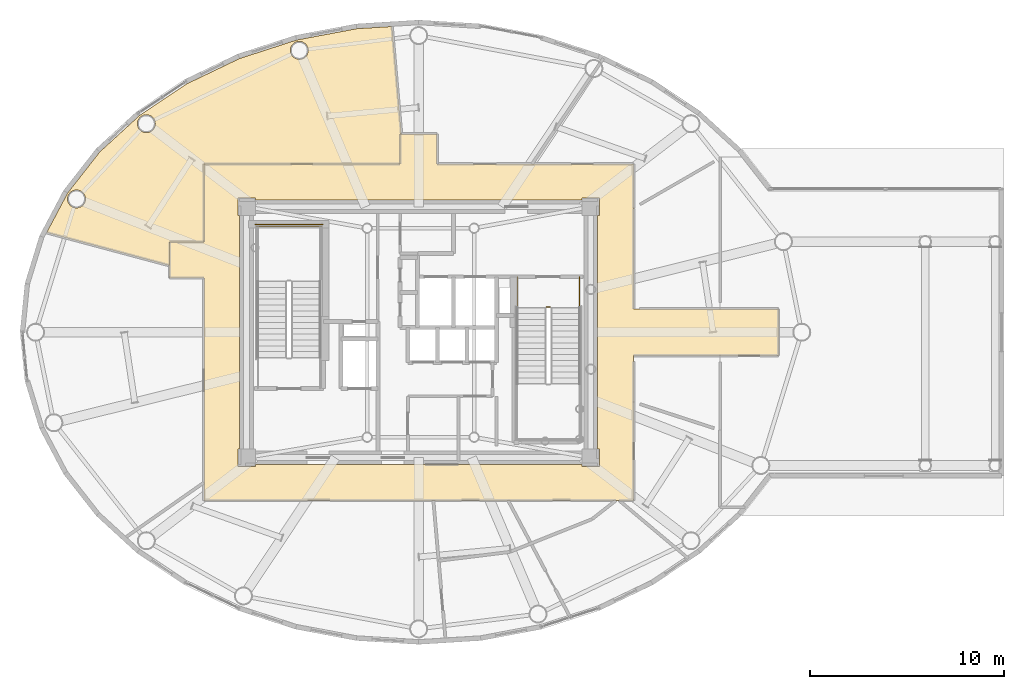
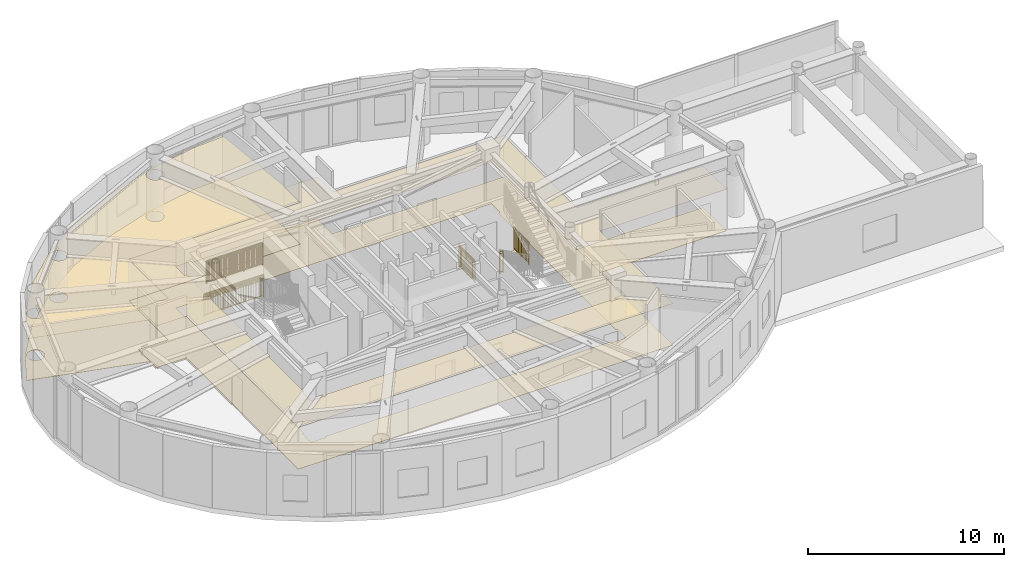
# One storey, part 25 of 26: 5 railings, 4 coverings.
"""IFC4 building model written with IfcOpenShell, lengths in metres."""

from ifc_helpers import new_model, si_unit, direction, frame, origin, origin_2d, place, context, subcontext, project, spatial, polyline, rectangle, outline, extrude, source, transform, mapped, material, layer, layer_set, type_object, element, save


model = new_model("IFC4")

# Units and contexts
model_context = context("Model", 3, precision=1e-05, world=origin(), true_north=direction((0.0, 1.0)))
body_context = subcontext(model_context, "Body", "Model", "MODEL_VIEW")
ifc_project = project(units=[si_unit("LENGTHUNIT", "METRE"), si_unit("AREAUNIT", "SQUARE_METRE"), si_unit("VOLUMEUNIT", "CUBIC_METRE"), si_unit("PLANEANGLEUNIT", "RADIAN"), si_unit("MASSUNIT", "GRAM", prefix="KILO")], contexts=[model_context])

# Site, building, storey
site_placement = place(None, origin())
site = spatial("IfcSite", under=ifc_project, at=site_placement, CompositionType="ELEMENT")
building_placement = place(site_placement, origin())
building = spatial("IfcBuilding", under=site, at=building_placement, Name="Linh Dai School and Residence Tower", CompositionType="ELEMENT")
storey_placement = place(building_placement, frame((0.0, 0.0, 346.800048828125)))
storey = spatial("IfcBuildingStorey", under=building, at=storey_placement, Name="L86", CompositionType="ELEMENT", Elevation=346.800048828125)

# Coverings
ifc_material_1 = material(Name="Mineral Fibre Acoustic Suspended Ceiling", Category="masonry")
ifc_layer_1 = layer(ifc_material_1, 0.02001953125)
ifc_layer_set_1 = layer_set([ifc_layer_1], Name="Mineral Fibre Acoustic Suspended Ceiling")
covering_type_1 = type_object("IfcCoveringType", Name="COV-CEIL-AC-20", PredefinedType="CEILING", material=ifc_layer_set_1)
covering_1_placement = place(storey_placement, frame((0.0, 0.0, 2.599853515625)))
element("IfcCovering", 1, at=covering_1_placement, inside=storey, type_object=covering_type_1, Name="L86 Sky Lounge Gallery Foyer Suspended Ceiling", PredefinedType="CEILING", context=body_context, shape_type="SweptSolid", body=[
    extrude(outline(polyline([(24.949951171875, 31.64990234375), (24.949951171875, 35.64990234375), (35.050048828125, 35.64990234375), (35.050048828125, 37.199951171875), (36.949951171875, 37.199951171875), (36.949951171875, 35.64990234375), (47.050048828125, 35.64990234375), (47.050048828125, 28.199951171875), (54.5, 28.199951171875), (54.5, 25.800048828125), (47.050048828125, 25.800048828125), (47.050048828125, 18.35009765625), (24.949951171875, 18.35009765625), (24.949951171875, 29.800048828125), (23.199951171875, 29.800048828125), (23.199951171875, 31.64990234375), (24.949951171875, 31.64990234375)]), holes=[polyline([(27.60009765625, 33.800048828125), (27.60009765625, 33.89990234375), (26.699951171875, 33.89990234375), (26.699951171875, 33.0), (26.800048828125, 33.0), (26.800048828125, 21.0), (26.699951171875, 21.0), (26.699951171875, 20.10009765625), (27.60009765625, 20.10009765625), (27.60009765625, 20.199951171875), (44.39990234375, 20.199951171875), (44.39990234375, 20.10009765625), (45.300048828125, 20.10009765625), (45.300048828125, 21.0), (45.199951171875, 21.0), (45.199951171875, 33.0), (45.300048828125, 33.0), (45.300048828125, 33.89990234375), (44.39990234375, 33.89990234375), (44.39990234375, 33.800048828125), (27.60009765625, 33.800048828125)])]), origin(), (0.0, 0.0, 1.0), 0.02001953125),
])
covering_2_placement = place(storey_placement, frame((0.0, 0.0, 2.599853515625)))
element("IfcCovering", 2, at=covering_2_placement, inside=storey, type_object=covering_type_1, Name="L86 North Panorama Private Dining Salon Suspended Ceiling", PredefinedType="CEILING", context=body_context, shape_type="SweptSolid", body=[
    extrude(outline(polyline([(19.598388671875, 36.266845703125), (21.658447265625, 38.15576171875), (24.073974609375, 39.771484375), (26.785888671875, 41.072998046875), (29.726806640625, 42.02685546875), (32.823974609375, 42.609130859375), (34.624755859375, 42.72021484375), (35.107666015625, 37.199951171875), (35.050048828125, 37.199951171875), (35.050048828125, 35.64990234375), (24.949951171875, 35.64990234375), (24.949951171875, 31.64990234375), (23.199951171875, 31.64990234375), (23.199951171875, 30.4296875), (16.87158203125, 32.12548828125), (17.94384765625, 34.152587890625), (19.598388671875, 36.266845703125)]), holes=[polyline([(30.262451171875, 41.262939453125), (30.30859375, 41.374267578125), (30.324462890625, 41.493896484375), (30.30859375, 41.613525390625), (30.262451171875, 41.724853515625), (30.189208984375, 41.820556640625), (30.093505859375, 41.89404296875), (29.98193359375, 41.940185546875), (29.8623046875, 41.955810546875), (29.742919921875, 41.940185546875), (29.63134765625, 41.89404296875), (29.535888671875, 41.820556640625), (29.46240234375, 41.724853515625), (29.416259765625, 41.613525390625), (29.400390625, 41.493896484375), (29.416259765625, 41.374267578125), (29.46240234375, 41.262939453125), (29.535888671875, 41.167236328125), (29.63134765625, 41.09375), (29.742919921875, 41.047607421875), (29.8623046875, 41.031982421875), (29.98193359375, 41.047607421875), (30.093505859375, 41.09375), (30.189208984375, 41.167236328125), (30.262451171875, 41.262939453125)]), polyline([(22.397705078125, 37.49169921875), (22.44384765625, 37.603271484375), (22.459716796875, 37.722900390625), (22.44384765625, 37.84228515625), (22.397705078125, 37.953857421875), (22.32421875, 38.049560546875), (22.228515625, 38.122802734375), (22.1171875, 38.1689453125), (21.99755859375, 38.184814453125), (21.8779296875, 38.1689453125), (21.7666015625, 38.122802734375), (21.6708984375, 38.049560546875), (21.597412109375, 37.953857421875), (21.55126953125, 37.84228515625), (21.53564453125, 37.722900390625), (21.55126953125, 37.603271484375), (21.597412109375, 37.49169921875), (21.6708984375, 37.39599609375), (21.7666015625, 37.32275390625), (21.8779296875, 37.276611328125), (21.99755859375, 37.2607421875), (22.1171875, 37.276611328125), (22.228515625, 37.32275390625), (22.32421875, 37.39599609375), (22.397705078125, 37.49169921875)]), polyline([(18.851318359375, 33.73291015625), (18.866943359375, 33.8525390625), (18.851318359375, 33.97216796875), (18.804931640625, 34.08349609375), (18.731689453125, 34.17919921875), (18.635986328125, 34.252685546875), (18.5244140625, 34.298828125), (18.40478515625, 34.314453125), (18.285400390625, 34.298828125), (18.173828125, 34.252685546875), (18.078369140625, 34.17919921875), (18.0048828125, 34.08349609375), (17.958740234375, 33.97216796875), (17.94287109375, 33.8525390625), (17.958740234375, 33.73291015625), (18.0048828125, 33.62158203125), (18.078369140625, 33.52587890625), (18.173828125, 33.452392578125), (18.285400390625, 33.40625), (18.40478515625, 33.390380859375), (18.5244140625, 33.40625), (18.635986328125, 33.452392578125), (18.731689453125, 33.52587890625), (18.804931640625, 33.62158203125), (18.851318359375, 33.73291015625)])]), origin(), (0.0, 0.0, 1.0), 0.02001953125),
])
ifc_material_2 = material(Name="Polished Terrazzo Floor Finish", Category="masonry")
ifc_layer_2 = layer(ifc_material_2, 0.02490234375)
ifc_layer_set_2 = layer_set([ifc_layer_2], Name="Polished Terrazzo Floor Finish")
covering_type_2 = type_object("IfcCoveringType", Name="COV-FLR-TRZ-25", PredefinedType="FLOORING", material=ifc_layer_set_2)
covering_3_placement = place(storey_placement, origin())
element("IfcCovering", 3, at=covering_3_placement, inside=storey, type_object=covering_type_2, Name="L86 Sky Lounge Gallery Foyer Floor Finish", PredefinedType="FLOORING", context=body_context, shape_type="SweptSolid", body=[
    extrude(outline(polyline([(24.949951171875, 31.64990234375), (24.949951171875, 35.64990234375), (35.050048828125, 35.64990234375), (35.050048828125, 37.199951171875), (36.949951171875, 37.199951171875), (36.949951171875, 35.64990234375), (47.050048828125, 35.64990234375), (47.050048828125, 28.199951171875), (54.5, 28.199951171875), (54.5, 25.800048828125), (47.050048828125, 25.800048828125), (47.050048828125, 18.35009765625), (24.949951171875, 18.35009765625), (24.949951171875, 29.800048828125), (23.199951171875, 29.800048828125), (23.199951171875, 31.64990234375), (24.949951171875, 31.64990234375)]), holes=[polyline([(27.60009765625, 33.800048828125), (27.60009765625, 33.89990234375), (26.699951171875, 33.89990234375), (26.699951171875, 33.0), (26.800048828125, 33.0), (26.800048828125, 21.0), (26.699951171875, 21.0), (26.699951171875, 20.10009765625), (27.60009765625, 20.10009765625), (27.60009765625, 20.199951171875), (44.39990234375, 20.199951171875), (44.39990234375, 20.10009765625), (45.300048828125, 20.10009765625), (45.300048828125, 21.0), (45.199951171875, 21.0), (45.199951171875, 33.0), (45.300048828125, 33.0), (45.300048828125, 33.89990234375), (44.39990234375, 33.89990234375), (44.39990234375, 33.800048828125), (27.60009765625, 33.800048828125)])]), origin(), (0.0, 0.0, 1.0), 0.02001953125),
])
covering_4_placement = place(storey_placement, origin())
element("IfcCovering", 4, at=covering_4_placement, inside=storey, type_object=covering_type_2, Name="L86 North Panorama Private Dining Salon Floor Finish", PredefinedType="FLOORING", context=body_context, shape_type="SweptSolid", body=[
    extrude(outline(polyline([(19.598388671875, 36.266845703125), (21.658447265625, 38.15576171875), (24.073974609375, 39.771484375), (26.785888671875, 41.072998046875), (29.726806640625, 42.02685546875), (32.823974609375, 42.609130859375), (34.624755859375, 42.72021484375), (35.107666015625, 37.199951171875), (35.050048828125, 37.199951171875), (35.050048828125, 35.64990234375), (24.949951171875, 35.64990234375), (24.949951171875, 31.64990234375), (23.199951171875, 31.64990234375), (23.199951171875, 30.4296875), (16.87158203125, 32.12548828125), (17.94384765625, 34.152587890625), (19.598388671875, 36.266845703125)]), holes=[polyline([(30.262451171875, 41.262939453125), (30.30859375, 41.374267578125), (30.324462890625, 41.493896484375), (30.30859375, 41.613525390625), (30.262451171875, 41.724853515625), (30.189208984375, 41.820556640625), (30.093505859375, 41.89404296875), (29.98193359375, 41.940185546875), (29.8623046875, 41.955810546875), (29.742919921875, 41.940185546875), (29.63134765625, 41.89404296875), (29.535888671875, 41.820556640625), (29.46240234375, 41.724853515625), (29.416259765625, 41.613525390625), (29.400390625, 41.493896484375), (29.416259765625, 41.374267578125), (29.46240234375, 41.262939453125), (29.535888671875, 41.167236328125), (29.63134765625, 41.09375), (29.742919921875, 41.047607421875), (29.8623046875, 41.031982421875), (29.98193359375, 41.047607421875), (30.093505859375, 41.09375), (30.189208984375, 41.167236328125), (30.262451171875, 41.262939453125)]), polyline([(22.397705078125, 37.49169921875), (22.44384765625, 37.603271484375), (22.459716796875, 37.722900390625), (22.44384765625, 37.84228515625), (22.397705078125, 37.953857421875), (22.32421875, 38.049560546875), (22.228515625, 38.122802734375), (22.1171875, 38.1689453125), (21.99755859375, 38.184814453125), (21.8779296875, 38.1689453125), (21.7666015625, 38.122802734375), (21.6708984375, 38.049560546875), (21.597412109375, 37.953857421875), (21.55126953125, 37.84228515625), (21.53564453125, 37.722900390625), (21.55126953125, 37.603271484375), (21.597412109375, 37.49169921875), (21.6708984375, 37.39599609375), (21.7666015625, 37.32275390625), (21.8779296875, 37.276611328125), (21.99755859375, 37.2607421875), (22.1171875, 37.276611328125), (22.228515625, 37.32275390625), (22.32421875, 37.39599609375), (22.397705078125, 37.49169921875)]), polyline([(18.851318359375, 33.73291015625), (18.866943359375, 33.8525390625), (18.851318359375, 33.97216796875), (18.804931640625, 34.08349609375), (18.731689453125, 34.17919921875), (18.635986328125, 34.252685546875), (18.5244140625, 34.298828125), (18.40478515625, 34.314453125), (18.285400390625, 34.298828125), (18.173828125, 34.252685546875), (18.078369140625, 34.17919921875), (18.0048828125, 34.08349609375), (17.958740234375, 33.97216796875), (17.94287109375, 33.8525390625), (17.958740234375, 33.73291015625), (18.0048828125, 33.62158203125), (18.078369140625, 33.52587890625), (18.173828125, 33.452392578125), (18.285400390625, 33.40625), (18.40478515625, 33.390380859375), (18.5244140625, 33.40625), (18.635986328125, 33.452392578125), (18.731689453125, 33.52587890625), (18.804931640625, 33.62158203125), (18.851318359375, 33.73291015625)])]), origin(), (0.0, 0.0, 1.0), 0.02001953125),
])

# Railings
ifc_material_3 = material(Name="Structural Steel S355JR", Category="steel")
railing_type = type_object("IfcRailingType", Name="RL-ST-GUARD-1400", PredefinedType="GUARDRAIL", material=ifc_material_3)
shared_shape_1 = source(origin(), body_context, "Body", "SweptSolid", [
    extrude(rectangle(XDim=0.048095703125, YDim=0.048095703125, at=origin_2d()), frame((0.0, 0.0, 1.3759765625), z_axis=(-1.0, 0.0, 0.0), x_axis=(0.0, -1.0, 0.0)), (0.0, 0.0, 1.0), 3.300048828125),
    extrude(rectangle(XDim=0.048095703125, YDim=0.048095703125, at=origin_2d()), frame((0.0, 0.0, 0.10009765625), z_axis=(-1.0, 0.0, 0.0), x_axis=(0.0, -1.0, 0.0)), (0.0, 0.0, 1.0), 3.300048828125),
    extrude(rectangle(XDim=0.030029296875, YDim=0.030029296875, at=origin_2d()), frame((0.0, 0.0, 1.239990234375), z_axis=(-1.0, 0.0, 0.0), x_axis=(0.0, -1.0, 0.0)), (0.0, 0.0, 1.0), 3.300048828125),
    extrude(rectangle(XDim=0.02001953125, YDim=0.02001953125, at=origin_2d()), frame((-0.09716796875, 0.0, 0.10009765625)), (0.0, 0.0, 1.0), 1.251708984375),
    extrude(rectangle(XDim=0.02001953125, YDim=0.02001953125, at=origin_2d()), frame((-0.194091796875, 0.0, 0.10009765625)), (0.0, 0.0, 1.0), 1.251708984375),
    extrude(rectangle(XDim=0.02001953125, YDim=0.02001953125, at=origin_2d()), frame((-0.291259765625, 0.0, 0.10009765625)), (0.0, 0.0, 1.0), 1.251708984375),
    extrude(rectangle(XDim=0.02001953125, YDim=0.02001953125, at=origin_2d()), frame((-0.38818359375, 0.0, 0.10009765625)), (0.0, 0.0, 1.0), 1.251708984375),
    extrude(rectangle(XDim=0.02001953125, YDim=0.02001953125, at=origin_2d()), frame((-0.4853515625, 0.0, 0.10009765625)), (0.0, 0.0, 1.0), 1.251708984375),
    extrude(rectangle(XDim=0.02001953125, YDim=0.02001953125, at=origin_2d()), frame((-0.582275390625, 0.0, 0.10009765625)), (0.0, 0.0, 1.0), 1.251708984375),
    extrude(rectangle(XDim=0.02001953125, YDim=0.02001953125, at=origin_2d()), frame((-0.679443359375, 0.0, 0.10009765625)), (0.0, 0.0, 1.0), 1.251708984375),
    extrude(rectangle(XDim=0.02001953125, YDim=0.02001953125, at=origin_2d()), frame((-0.7763671875, 0.0, 0.10009765625)), (0.0, 0.0, 1.0), 1.251708984375),
    extrude(rectangle(XDim=0.02001953125, YDim=0.02001953125, at=origin_2d()), frame((-0.87353515625, 0.0, 0.10009765625)), (0.0, 0.0, 1.0), 1.251708984375),
    extrude(rectangle(XDim=0.02001953125, YDim=0.02001953125, at=origin_2d()), frame((-0.970703125, 0.0, 0.10009765625)), (0.0, 0.0, 1.0), 1.251708984375),
    extrude(rectangle(XDim=0.02001953125, YDim=0.02001953125, at=origin_2d()), frame((-1.164794921875, 0.0, 0.10009765625)), (0.0, 0.0, 1.0), 1.251708984375),
    extrude(rectangle(XDim=0.02001953125, YDim=0.02001953125, at=origin_2d()), frame((-1.26171875, 0.0, 0.10009765625)), (0.0, 0.0, 1.0), 1.251708984375),
    extrude(rectangle(XDim=0.02001953125, YDim=0.02001953125, at=origin_2d()), frame((-1.35888671875, 0.0, 0.10009765625)), (0.0, 0.0, 1.0), 1.251708984375),
    extrude(rectangle(XDim=0.02001953125, YDim=0.02001953125, at=origin_2d()), frame((-1.455810546875, 0.0, 0.10009765625)), (0.0, 0.0, 1.0), 1.251708984375),
    extrude(rectangle(XDim=0.02001953125, YDim=0.02001953125, at=origin_2d()), frame((-1.552978515625, 0.0, 0.10009765625)), (0.0, 0.0, 1.0), 1.251708984375),
    extrude(rectangle(XDim=0.02001953125, YDim=0.02001953125, at=origin_2d()), frame((-1.64990234375, 0.0, 0.10009765625)), (0.0, 0.0, 1.0), 1.251708984375),
    extrude(rectangle(XDim=0.02001953125, YDim=0.02001953125, at=origin_2d()), frame((-1.7470703125, 0.0, 0.10009765625)), (0.0, 0.0, 1.0), 1.251708984375),
    extrude(rectangle(XDim=0.02001953125, YDim=0.02001953125, at=origin_2d()), frame((-1.84423828125, 0.0, 0.10009765625)), (0.0, 0.0, 1.0), 1.251708984375),
    extrude(rectangle(XDim=0.02001953125, YDim=0.02001953125, at=origin_2d()), frame((-1.941162109375, 0.0, 0.10009765625)), (0.0, 0.0, 1.0), 1.251708984375),
    extrude(rectangle(XDim=0.02001953125, YDim=0.02001953125, at=origin_2d()), frame((-2.038330078125, 0.0, 0.10009765625)), (0.0, 0.0, 1.0), 1.251708984375),
    extrude(rectangle(XDim=0.02001953125, YDim=0.02001953125, at=origin_2d()), frame((-2.13525390625, 0.0, 0.10009765625)), (0.0, 0.0, 1.0), 1.251708984375),
    extrude(rectangle(XDim=0.02001953125, YDim=0.02001953125, at=origin_2d()), frame((-2.329345703125, 0.0, 0.10009765625)), (0.0, 0.0, 1.0), 1.251708984375),
    extrude(rectangle(XDim=0.02001953125, YDim=0.02001953125, at=origin_2d()), frame((-2.426513671875, 0.0, 0.10009765625)), (0.0, 0.0, 1.0), 1.251708984375),
    extrude(rectangle(XDim=0.02001953125, YDim=0.02001953125, at=origin_2d()), frame((-2.523681640625, 0.0, 0.10009765625)), (0.0, 0.0, 1.0), 1.251708984375),
    extrude(rectangle(XDim=0.02001953125, YDim=0.02001953125, at=origin_2d()), frame((-2.62060546875, 0.0, 0.10009765625)), (0.0, 0.0, 1.0), 1.251708984375),
    extrude(rectangle(XDim=0.02001953125, YDim=0.02001953125, at=origin_2d()), frame((-2.7177734375, 0.0, 0.10009765625)), (0.0, 0.0, 1.0), 1.251708984375),
    extrude(rectangle(XDim=0.02001953125, YDim=0.02001953125, at=origin_2d()), frame((-2.814697265625, 0.0, 0.10009765625)), (0.0, 0.0, 1.0), 1.251708984375),
    extrude(rectangle(XDim=0.02001953125, YDim=0.02001953125, at=origin_2d()), frame((-2.911865234375, 0.0, 0.10009765625)), (0.0, 0.0, 1.0), 1.251708984375),
    extrude(rectangle(XDim=0.02001953125, YDim=0.02001953125, at=origin_2d()), frame((-3.0087890625, 0.0, 0.10009765625)), (0.0, 0.0, 1.0), 1.251708984375),
    extrude(rectangle(XDim=0.02001953125, YDim=0.02001953125, at=origin_2d()), frame((-3.10595703125, 0.0, 0.10009765625)), (0.0, 0.0, 1.0), 1.251708984375),
    extrude(rectangle(XDim=0.02001953125, YDim=0.02001953125, at=origin_2d()), frame((-3.202880859375, 0.0, 0.10009765625)), (0.0, 0.0, 1.0), 1.251708984375),
    extrude(rectangle(XDim=0.0419921875, YDim=0.0419921875, at=origin_2d()), origin(), (0.0, 0.0, 1.0), 1.3759765625),
    extrude(rectangle(XDim=0.0419921875, YDim=0.0419921875, at=origin_2d()), frame((-1.10009765625, 0.0, 0.0)), (0.0, 0.0, 1.0), 1.3759765625),
    extrude(rectangle(XDim=0.0419921875, YDim=0.0419921875, at=origin_2d()), frame((-2.199951171875, 0.0, 0.0)), (0.0, 0.0, 1.0), 1.3759765625),
    extrude(rectangle(XDim=0.0419921875, YDim=0.0419921875, at=origin_2d()), frame((-3.300048828125, 0.0, 0.0)), (0.0, 0.0, 1.0), 1.3759765625),
])
railing_1_placement = place(storey_placement, frame((30.97998046875, 32.449951171875, 2.099853515625)))
element("IfcRailing", 5, at=railing_1_placement, inside=storey, type_object=railing_type, Name="L86 ST1 stair guard 5", PredefinedType="GUARDRAIL", context=body_context, shape_type="MappedRepresentation", body=[
    mapped(shared_shape_1, transform((0.0, 0.0, 0.0), x_axis=(1.0, 0.0, 0.0), y_axis=(0.0, 1.0, 0.0), z_axis=(0.0, 0.0, 1.0), scale=1.0)),
])
shared_shape_2 = source(origin(), body_context, "Body", "SweptSolid", [
    extrude(rectangle(XDim=0.048095703125, YDim=0.048095703125, at=origin_2d()), frame((0.0, 0.0, 1.3759765625), z_axis=(-1.0, 0.0, 0.0), x_axis=(0.0, -1.0, 0.0)), (0.0, 0.0, 1.0), 3.5),
    extrude(rectangle(XDim=0.048095703125, YDim=0.048095703125, at=origin_2d()), frame((0.0, 0.0, 0.10009765625), z_axis=(-1.0, 0.0, 0.0), x_axis=(0.0, -1.0, 0.0)), (0.0, 0.0, 1.0), 3.5),
    extrude(rectangle(XDim=0.030029296875, YDim=0.030029296875, at=origin_2d()), frame((0.0, 0.0, 1.239990234375), z_axis=(-1.0, 0.0, 0.0), x_axis=(0.0, -1.0, 0.0)), (0.0, 0.0, 1.0), 3.5),
    extrude(rectangle(XDim=0.02001953125, YDim=0.02001953125, at=origin_2d()), frame((-0.09716796875, 0.0, 0.10009765625)), (0.0, 0.0, 1.0), 1.251708984375),
    extrude(rectangle(XDim=0.02001953125, YDim=0.02001953125, at=origin_2d()), frame((-0.1943359375, 0.0, 0.10009765625)), (0.0, 0.0, 1.0), 1.251708984375),
    extrude(rectangle(XDim=0.02001953125, YDim=0.02001953125, at=origin_2d()), frame((-0.291748046875, 0.0, 0.10009765625)), (0.0, 0.0, 1.0), 1.251708984375),
    extrude(rectangle(XDim=0.02001953125, YDim=0.02001953125, at=origin_2d()), frame((-0.388916015625, 0.0, 0.10009765625)), (0.0, 0.0, 1.0), 1.251708984375),
    extrude(rectangle(XDim=0.02001953125, YDim=0.02001953125, at=origin_2d()), frame((-0.486083984375, 0.0, 0.10009765625)), (0.0, 0.0, 1.0), 1.251708984375),
    extrude(rectangle(XDim=0.02001953125, YDim=0.02001953125, at=origin_2d()), frame((-0.583251953125, 0.0, 0.10009765625)), (0.0, 0.0, 1.0), 1.251708984375),
    extrude(rectangle(XDim=0.02001953125, YDim=0.02001953125, at=origin_2d()), frame((-0.6806640625, 0.0, 0.10009765625)), (0.0, 0.0, 1.0), 1.251708984375),
    extrude(rectangle(XDim=0.02001953125, YDim=0.02001953125, at=origin_2d()), frame((-0.77783203125, 0.0, 0.10009765625)), (0.0, 0.0, 1.0), 1.251708984375),
    extrude(rectangle(XDim=0.02001953125, YDim=0.02001953125, at=origin_2d()), frame((-0.875, 0.0, 0.10009765625)), (0.0, 0.0, 1.0), 1.251708984375),
    extrude(rectangle(XDim=0.02001953125, YDim=0.02001953125, at=origin_2d()), frame((-0.97216796875, 0.0, 0.10009765625)), (0.0, 0.0, 1.0), 1.251708984375),
    extrude(rectangle(XDim=0.02001953125, YDim=0.02001953125, at=origin_2d()), frame((-1.0693359375, 0.0, 0.10009765625)), (0.0, 0.0, 1.0), 1.251708984375),
    extrude(rectangle(XDim=0.02001953125, YDim=0.02001953125, at=origin_2d()), frame((-1.263916015625, 0.0, 0.10009765625)), (0.0, 0.0, 1.0), 1.251708984375),
    extrude(rectangle(XDim=0.02001953125, YDim=0.02001953125, at=origin_2d()), frame((-1.361083984375, 0.0, 0.10009765625)), (0.0, 0.0, 1.0), 1.251708984375),
    extrude(rectangle(XDim=0.02001953125, YDim=0.02001953125, at=origin_2d()), frame((-1.458251953125, 0.0, 0.10009765625)), (0.0, 0.0, 1.0), 1.251708984375),
    extrude(rectangle(XDim=0.02001953125, YDim=0.02001953125, at=origin_2d()), frame((-1.5556640625, 0.0, 0.10009765625)), (0.0, 0.0, 1.0), 1.251708984375),
    extrude(rectangle(XDim=0.02001953125, YDim=0.02001953125, at=origin_2d()), frame((-1.65283203125, 0.0, 0.10009765625)), (0.0, 0.0, 1.0), 1.251708984375),
    extrude(rectangle(XDim=0.02001953125, YDim=0.02001953125, at=origin_2d()), frame((-1.75, 0.0, 0.10009765625)), (0.0, 0.0, 1.0), 1.251708984375),
    extrude(rectangle(XDim=0.02001953125, YDim=0.02001953125, at=origin_2d()), frame((-1.84716796875, 0.0, 0.10009765625)), (0.0, 0.0, 1.0), 1.251708984375),
    extrude(rectangle(XDim=0.02001953125, YDim=0.02001953125, at=origin_2d()), frame((-1.9443359375, 0.0, 0.10009765625)), (0.0, 0.0, 1.0), 1.251708984375),
    extrude(rectangle(XDim=0.02001953125, YDim=0.02001953125, at=origin_2d()), frame((-2.041748046875, 0.0, 0.10009765625)), (0.0, 0.0, 1.0), 1.251708984375),
    extrude(rectangle(XDim=0.02001953125, YDim=0.02001953125, at=origin_2d()), frame((-2.138916015625, 0.0, 0.10009765625)), (0.0, 0.0, 1.0), 1.251708984375),
    extrude(rectangle(XDim=0.02001953125, YDim=0.02001953125, at=origin_2d()), frame((-2.236083984375, 0.0, 0.10009765625)), (0.0, 0.0, 1.0), 1.251708984375),
    extrude(rectangle(XDim=0.02001953125, YDim=0.02001953125, at=origin_2d()), frame((-2.4306640625, 0.0, 0.10009765625)), (0.0, 0.0, 1.0), 1.251708984375),
    extrude(rectangle(XDim=0.02001953125, YDim=0.02001953125, at=origin_2d()), frame((-2.52783203125, 0.0, 0.10009765625)), (0.0, 0.0, 1.0), 1.251708984375),
    extrude(rectangle(XDim=0.02001953125, YDim=0.02001953125, at=origin_2d()), frame((-2.625, 0.0, 0.10009765625)), (0.0, 0.0, 1.0), 1.251708984375),
    extrude(rectangle(XDim=0.02001953125, YDim=0.02001953125, at=origin_2d()), frame((-2.72216796875, 0.0, 0.10009765625)), (0.0, 0.0, 1.0), 1.251708984375),
    extrude(rectangle(XDim=0.02001953125, YDim=0.02001953125, at=origin_2d()), frame((-2.8193359375, 0.0, 0.10009765625)), (0.0, 0.0, 1.0), 1.251708984375),
    extrude(rectangle(XDim=0.02001953125, YDim=0.02001953125, at=origin_2d()), frame((-2.916748046875, 0.0, 0.10009765625)), (0.0, 0.0, 1.0), 1.251708984375),
    extrude(rectangle(XDim=0.02001953125, YDim=0.02001953125, at=origin_2d()), frame((-3.013916015625, 0.0, 0.10009765625)), (0.0, 0.0, 1.0), 1.251708984375),
    extrude(rectangle(XDim=0.02001953125, YDim=0.02001953125, at=origin_2d()), frame((-3.111083984375, 0.0, 0.10009765625)), (0.0, 0.0, 1.0), 1.251708984375),
    extrude(rectangle(XDim=0.02001953125, YDim=0.02001953125, at=origin_2d()), frame((-3.208251953125, 0.0, 0.10009765625)), (0.0, 0.0, 1.0), 1.251708984375),
    extrude(rectangle(XDim=0.02001953125, YDim=0.02001953125, at=origin_2d()), frame((-3.3056640625, 0.0, 0.10009765625)), (0.0, 0.0, 1.0), 1.251708984375),
    extrude(rectangle(XDim=0.02001953125, YDim=0.02001953125, at=origin_2d()), frame((-3.40283203125, 0.0, 0.10009765625)), (0.0, 0.0, 1.0), 1.251708984375),
    extrude(rectangle(XDim=0.0419921875, YDim=0.0419921875, at=origin_2d()), origin(), (0.0, 0.0, 1.0), 1.3759765625),
    extrude(rectangle(XDim=0.0419921875, YDim=0.0419921875, at=origin_2d()), frame((-1.166748046875, 0.0, 0.0)), (0.0, 0.0, 1.0), 1.3759765625),
    extrude(rectangle(XDim=0.0419921875, YDim=0.0419921875, at=origin_2d()), frame((-2.333251953125, 0.0, 0.0)), (0.0, 0.0, 1.0), 1.3759765625),
    extrude(rectangle(XDim=0.0419921875, YDim=0.0419921875, at=origin_2d()), frame((-3.5, 0.0, 0.0)), (0.0, 0.0, 1.0), 1.3759765625),
])
railing_2_placement = place(storey_placement, frame((31.080078125, 32.550048828125, 0.0)))
element("IfcRailing", 6, at=railing_2_placement, inside=storey, type_object=railing_type, Name="L86 ST1 stair guard 12", PredefinedType="GUARDRAIL", context=body_context, shape_type="MappedRepresentation", body=[
    mapped(shared_shape_2, transform((0.0, 0.0, 0.0), x_axis=(1.0, 0.0, 0.0), y_axis=(0.0, 1.0, 0.0), z_axis=(0.0, 0.0, 1.0), scale=1.0)),
])
shared_shape_3 = source(origin(), body_context, "Body", "SweptSolid", [
    extrude(rectangle(XDim=0.048095703125, YDim=0.048095703125, at=origin_2d()), frame((0.0, 0.0, 1.3759765625), z_axis=(1.0, 0.0, 0.0), x_axis=(0.0, 1.0, 0.0)), (0.0, 0.0, 1.0), 0.199951171875),
    extrude(rectangle(XDim=0.048095703125, YDim=0.048095703125, at=origin_2d()), frame((0.0, 0.0, 0.10009765625), z_axis=(1.0, 0.0, 0.0), x_axis=(0.0, 1.0, 0.0)), (0.0, 0.0, 1.0), 0.199951171875),
    extrude(rectangle(XDim=0.030029296875, YDim=0.030029296875, at=origin_2d()), frame((0.0, 0.0, 1.239990234375), z_axis=(1.0, 0.0, 0.0), x_axis=(0.0, 1.0, 0.0)), (0.0, 0.0, 1.0), 0.199951171875),
    extrude(rectangle(XDim=0.0419921875, YDim=0.0419921875, at=origin_2d()), origin(), (0.0, 0.0, 1.0), 1.3759765625),
    extrude(rectangle(XDim=0.0419921875, YDim=0.0419921875, at=origin_2d()), frame((0.199951171875, 0.0, 0.0)), (0.0, 0.0, 1.0), 1.3759765625),
])
railing_3_placement = place(storey_placement, frame((42.570068359375, 28.300048828125, 0.0)))
element("IfcRailing", 7, at=railing_3_placement, inside=storey, type_object=railing_type, Name="L86 ST2 stair guard 7", PredefinedType="GUARDRAIL", context=body_context, shape_type="MappedRepresentation", body=[
    mapped(shared_shape_3, transform((0.0, 0.0, 0.0), x_axis=(1.0, 0.0, 0.0), y_axis=(0.0, 1.0, 0.0), z_axis=(0.0, 0.0, 1.0), scale=1.0)),
])
shared_shape_4 = source(origin(), body_context, "Body", "SweptSolid", [
    extrude(rectangle(XDim=0.048095703125, YDim=0.048095703125, at=origin_2d()), frame((0.0, 0.0, 1.3759765625), z_axis=(0.0, -1.0, 0.0), x_axis=(1.0, 0.0, 0.0)), (0.0, 0.0, 1.0), 1.60009765625),
    extrude(rectangle(XDim=0.048095703125, YDim=0.048095703125, at=origin_2d()), frame((0.0, 0.0, 0.10009765625), z_axis=(0.0, -1.0, 0.0), x_axis=(1.0, 0.0, 0.0)), (0.0, 0.0, 1.0), 1.60009765625),
    extrude(rectangle(XDim=0.030029296875, YDim=0.030029296875, at=origin_2d()), frame((0.0, 0.0, 1.239990234375), z_axis=(0.0, -1.0, 0.0), x_axis=(1.0, 0.0, 0.0)), (0.0, 0.0, 1.0), 1.60009765625),
    extrude(rectangle(XDim=0.02001953125, YDim=0.02001953125, at=origin_2d()), frame((0.0, -0.09423828125, 0.10009765625)), (0.0, 0.0, 1.0), 1.251708984375),
    extrude(rectangle(XDim=0.02001953125, YDim=0.02001953125, at=origin_2d()), frame((0.0, -0.188232421875, 0.10009765625)), (0.0, 0.0, 1.0), 1.251708984375),
    extrude(rectangle(XDim=0.02001953125, YDim=0.02001953125, at=origin_2d()), frame((0.0, -0.282470703125, 0.10009765625)), (0.0, 0.0, 1.0), 1.251708984375),
    extrude(rectangle(XDim=0.02001953125, YDim=0.02001953125, at=origin_2d()), frame((0.0, -0.37646484375, 0.10009765625)), (0.0, 0.0, 1.0), 1.251708984375),
    extrude(rectangle(XDim=0.02001953125, YDim=0.02001953125, at=origin_2d()), frame((0.0, -0.470703125, 0.10009765625)), (0.0, 0.0, 1.0), 1.251708984375),
    extrude(rectangle(XDim=0.02001953125, YDim=0.02001953125, at=origin_2d()), frame((0.0, -0.564697265625, 0.10009765625)), (0.0, 0.0, 1.0), 1.251708984375),
    extrude(rectangle(XDim=0.02001953125, YDim=0.02001953125, at=origin_2d()), frame((0.0, -0.658935546875, 0.10009765625)), (0.0, 0.0, 1.0), 1.251708984375),
    extrude(rectangle(XDim=0.02001953125, YDim=0.02001953125, at=origin_2d()), frame((0.0, -0.7529296875, 0.10009765625)), (0.0, 0.0, 1.0), 1.251708984375),
    extrude(rectangle(XDim=0.02001953125, YDim=0.02001953125, at=origin_2d()), frame((0.0, -0.84716796875, 0.10009765625)), (0.0, 0.0, 1.0), 1.251708984375),
    extrude(rectangle(XDim=0.02001953125, YDim=0.02001953125, at=origin_2d()), frame((0.0, -0.941162109375, 0.10009765625)), (0.0, 0.0, 1.0), 1.251708984375),
    extrude(rectangle(XDim=0.02001953125, YDim=0.02001953125, at=origin_2d()), frame((0.0, -1.035400390625, 0.10009765625)), (0.0, 0.0, 1.0), 1.251708984375),
    extrude(rectangle(XDim=0.02001953125, YDim=0.02001953125, at=origin_2d()), frame((0.0, -1.12939453125, 0.10009765625)), (0.0, 0.0, 1.0), 1.251708984375),
    extrude(rectangle(XDim=0.02001953125, YDim=0.02001953125, at=origin_2d()), frame((0.0, -1.2236328125, 0.10009765625)), (0.0, 0.0, 1.0), 1.251708984375),
    extrude(rectangle(XDim=0.02001953125, YDim=0.02001953125, at=origin_2d()), frame((0.0, -1.317626953125, 0.10009765625)), (0.0, 0.0, 1.0), 1.251708984375),
    extrude(rectangle(XDim=0.02001953125, YDim=0.02001953125, at=origin_2d()), frame((0.0, -1.411865234375, 0.10009765625)), (0.0, 0.0, 1.0), 1.251708984375),
    extrude(rectangle(XDim=0.02001953125, YDim=0.02001953125, at=origin_2d()), frame((0.0, -1.505859375, 0.10009765625)), (0.0, 0.0, 1.0), 1.251708984375),
    extrude(rectangle(XDim=0.0419921875, YDim=0.0419921875, at=origin_2d()), origin(), (0.0, 0.0, 1.0), 1.3759765625),
    extrude(rectangle(XDim=0.0419921875, YDim=0.0419921875, at=origin_2d()), frame((0.0, -0.800048828125, 0.0)), (0.0, 0.0, 1.0), 1.3759765625),
    extrude(rectangle(XDim=0.0419921875, YDim=0.0419921875, at=origin_2d()), frame((0.0, -1.60009765625, 0.0)), (0.0, 0.0, 1.0), 1.3759765625),
])
for number, where, name in (
    (8, (41.070068359375, 29.85009765625, 0.0), "L86 ST2 stair guard 8"),
    (9, (44.27001953125, 29.85009765625, 0.0), "L86 ST2 stair guard 9"),
):
    element("IfcRailing", number, at=place(storey_placement, frame(where)), inside=storey, type_object=railing_type, Name=name, PredefinedType="GUARDRAIL", context=body_context, shape_type="MappedRepresentation", body=[
        mapped(shared_shape_4, transform((0.0, 0.0, 0.0), x_axis=(1.0, 0.0, 0.0), y_axis=(0.0, 1.0, 0.0), z_axis=(0.0, 0.0, 1.0), scale=1.0)),
    ])

save(model, "model.ifc")
